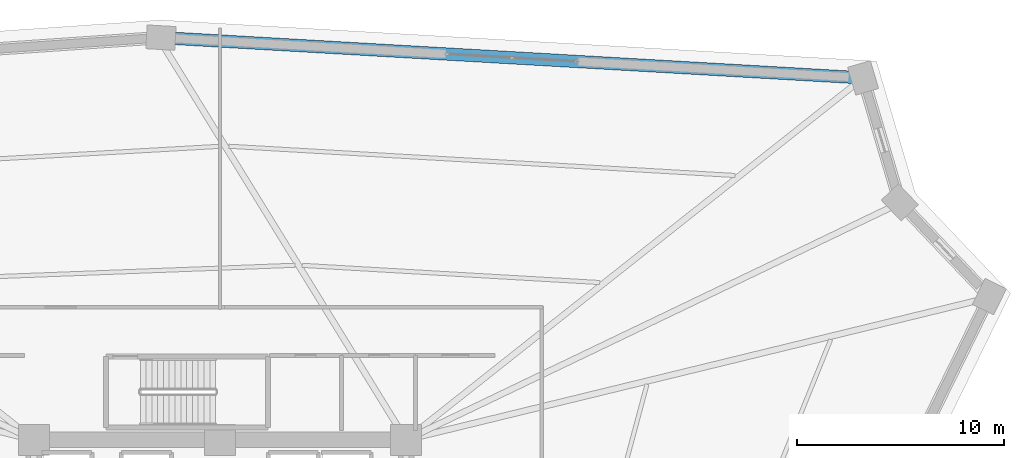
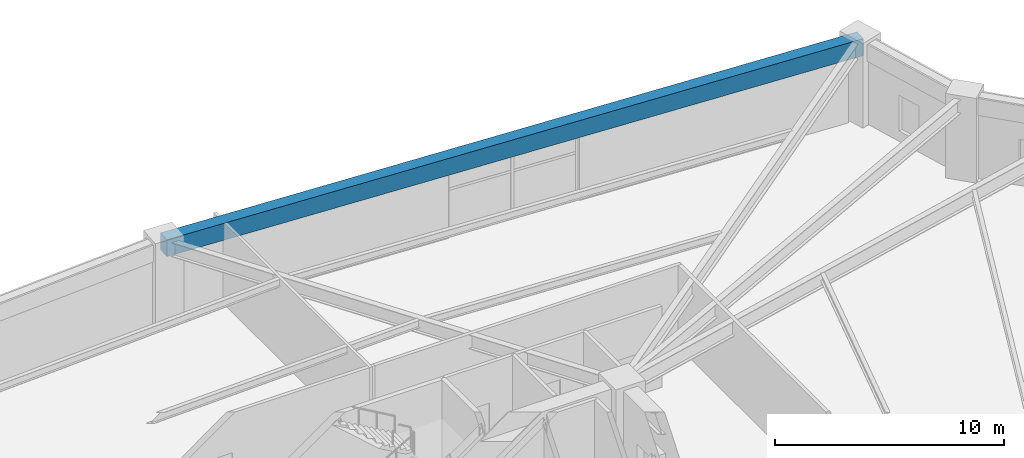
# One storey, part 22 of 30: 1 beam.
"""IFC4 building model written with IfcOpenShell, lengths in metres."""

import ifcopenshell
import ifcopenshell.guid

model = None  # the IFC model being written
_history = None  # IfcOwnerHistory: only IFC2X3 demands one
_inside = {}  # id of a spatial element -> (the spatial element, [elements in it])
_under = {}  # id of a project, library or spatial element -> (it, [spatial elements below it])
_declared = {}  # id of a project -> (the project, [libraries it declares])
_typed = {}  # id of a type object -> (the type object, [elements of that type])
_made_of = {}  # id of a material, layer set ... -> (it, [elements and type objects made of it])


def new_model(schema):
    """Start an empty IFC model of exactly this schema.

    Asked for "IFC4X3", IfcOpenShell would pick the latest addendum, in which some entities
    have other attributes; the version numbers below select the first issue.
    IFC2X3 requires an IfcOwnerHistory on every rooted entity: one is made here for all.
    """
    global model, _history
    if schema == "IFC4X3":
        model = ifcopenshell.file(schema_version=(4, 3, 0, 0))
    else:
        model = ifcopenshell.file(schema=schema)
    _inside.clear()
    _under.clear()
    _declared.clear()
    _typed.clear()
    _made_of.clear()
    _history = None
    if model.schema == "IFC2X3":
        org = make("IfcOrganization", Name="unknown")
        user = make(
            "IfcPersonAndOrganization",
            ThePerson=make("IfcPerson", FamilyName="unknown"),
            TheOrganization=org,
        )
        app = make(
            "IfcApplication",
            ApplicationDeveloper=org,
            Version="unknown",
            ApplicationFullName="unknown",
            ApplicationIdentifier="unknown",
        )
        _history = make(
            "IfcOwnerHistory",
            OwningUser=user,
            OwningApplication=app,
            ChangeAction="ADDED",
            CreationDate=0,
        )
    return model


def make(cls, **values):
    """One entity of the class cls with the attributes given. An attribute that is None is left unset."""
    return model.create_entity(
        cls, **{name: value for name, value in values.items() if value is not None}
    )


def rooted(cls, **values):
    """An entity with a GlobalId (a new one), such as an element, a storey or a relation."""
    return make(cls, GlobalId=ifcopenshell.guid.new(), OwnerHistory=_history, **values)


def si_unit(unit_type, name, prefix=None):
    """IfcSIUnit, for example si_unit("LENGTHUNIT", "METRE", prefix="MILLI")."""
    return make("IfcSIUnit", UnitType=unit_type, Prefix=prefix, Name=name)


def assignment(units):
    """IfcUnitAssignment: the units of a project."""
    return None if units is None else make("IfcUnitAssignment", Units=units)


def point(xyz):
    """IfcCartesianPoint."""
    return None if xyz is None else make("IfcCartesianPoint", Coordinates=xyz)


def direction(xyz):
    """IfcDirection."""
    return None if xyz is None else make("IfcDirection", DirectionRatios=xyz)


def frame(location, z_axis=None, x_axis=None):
    """IfcAxis2Placement3D, a coordinate frame: its origin and axes. An axis left out is left unset."""
    return make(
        "IfcAxis2Placement3D",
        Location=point(location),
        Axis=direction(z_axis),
        RefDirection=direction(x_axis),
    )


def frame_2d(location, x_axis=None):
    """IfcAxis2Placement2D, a coordinate frame in the plane: its origin and x axis."""
    return make(
        "IfcAxis2Placement2D", Location=point(location), RefDirection=direction(x_axis)
    )


def origin():
    """The frame at (0, 0, 0) with its axes left unset."""
    return frame((0.0, 0.0, 0.0))


def origin_2d():
    """The frame at (0, 0) in the plane with its x axis left unset."""
    return frame_2d((0.0, 0.0))


def place(relative_to, where):
    """IfcLocalPlacement: puts the frame where relative to a parent placement (None: the world)."""
    return make(
        "IfcLocalPlacement", PlacementRelTo=relative_to, RelativePlacement=where
    )


def context(
    kind, dimensions, precision=None, world=None, true_north=None, identifier=None
):
    """IfcGeometricRepresentationContext, for example the 3D "Model" context."""
    return make(
        "IfcGeometricRepresentationContext",
        ContextIdentifier=identifier,
        ContextType=kind,
        CoordinateSpaceDimension=dimensions,
        Precision=precision,
        WorldCoordinateSystem=world,
        TrueNorth=true_north,
    )


def subcontext(parent, identifier, kind, view, scale=None):
    """IfcGeometricRepresentationSubContext, for example "Body" below "Model"."""
    return make(
        "IfcGeometricRepresentationSubContext",
        ContextIdentifier=identifier,
        ContextType=kind,
        ParentContext=parent,
        TargetScale=scale,
        TargetView=view,
    )


def project(units=None, contexts=None):
    """IfcProject with its units and contexts."""
    return rooted(
        "IfcProject",
        Name="project",
        RepresentationContexts=contexts,
        UnitsInContext=assignment(units),
    )


def spatial(cls, under=None, at=None, **own):
    """A site, building, storey or space (cls), placed at a placement, below another one or the project."""
    s = rooted(cls, ObjectPlacement=at, **own)
    if under is not None:
        _under.setdefault(under.id(), (under, []))[1].append(s)
    return s


def profile(cls, at=None, kind="AREA", **sizes):
    """A parametric profile (cls). Its sizes go by their IFC names, for example OverallWidth=200.0."""
    return make(cls, ProfileType=kind, Position=at, **sizes)


def rectangle(**sizes):
    """IfcRectangleProfileDef."""
    return profile("IfcRectangleProfileDef", **sizes)


def extrude(swept, where, along, depth):
    """IfcExtrudedAreaSolid: the profile swept, set in the frame where, extruded along a direction by depth."""
    return make(
        "IfcExtrudedAreaSolid",
        SweptArea=swept,
        Position=where,
        ExtrudedDirection=direction(along),
        Depth=depth,
    )


def shape(context_of_items, identifier, shape_type, items):
    """IfcShapeRepresentation: the items that make up one representation, for example the "Body"."""
    return make(
        "IfcShapeRepresentation",
        ContextOfItems=context_of_items,
        RepresentationIdentifier=identifier,
        RepresentationType=shape_type,
        Items=items,
    )


def source(mapping_origin, context_of_items, identifier, shape_type, items):
    """IfcRepresentationMap: a shape defined once, which mapped items show again and again."""
    return make(
        "IfcRepresentationMap",
        MappingOrigin=mapping_origin,
        MappedRepresentation=shape(context_of_items, identifier, shape_type, items),
    )


def transform(
    local_origin,
    x_axis=None,
    y_axis=None,
    z_axis=None,
    scale=None,
    scale2=None,
    scale3=None,
    uniform=True,
):
    """IfcCartesianTransformationOperator3D, or its non-uniform kind. x_axis, y_axis, z_axis: its Axis1, 2, 3."""
    if uniform:
        return make(
            "IfcCartesianTransformationOperator3D",
            Axis1=direction(x_axis),
            Axis2=direction(y_axis),
            LocalOrigin=point(local_origin),
            Scale=scale,
            Axis3=direction(z_axis),
        )
    return make(
        "IfcCartesianTransformationOperator3DnonUniform",
        Axis1=direction(x_axis),
        Axis2=direction(y_axis),
        LocalOrigin=point(local_origin),
        Scale=scale,
        Axis3=direction(z_axis),
        Scale2=scale2,
        Scale3=scale3,
    )


def mapped(mapping_source, mapping_target):
    """IfcMappedItem: shows the shape of a source again, moved by a transform."""
    return make(
        "IfcMappedItem", MappingSource=mapping_source, MappingTarget=mapping_target
    )


def material(Name=None, Category=None):
    """IfcMaterial."""
    return make("IfcMaterial", Name=Name, Category=Category)


def material_profile(
    of_material, cross_section, Name=None, Category=None, Priority=None
):
    """IfcMaterialProfile: a cross section and its material."""
    return make(
        "IfcMaterialProfile",
        Name=Name,
        Material=of_material,
        Profile=cross_section,
        Priority=Priority,
        Category=Category,
    )


def profile_set(profiles, Name=None, composite=None):
    """IfcMaterialProfileSet."""
    return make(
        "IfcMaterialProfileSet",
        Name=Name,
        MaterialProfiles=profiles,
        CompositeProfile=composite,
    )


def made_of(thing, what):
    """Note that an element or type object is made of a material, layer set ...; save() writes the relation."""
    if what is not None:
        _made_of.setdefault(what.id(), (what, []))[1].append(thing)
    return thing


def type_object(cls, material=None, **own):
    """A type object (cls), such as IfcWallType, which elements share."""
    return made_of(rooted(cls, **own), material)


def element(
    cls,
    number,
    at=None,
    inside=None,
    cuts=None,
    type_object=None,
    material=None,
    context=None,
    identifier="Body",
    shape_type=None,
    held_by="IfcProductDefinitionShape",
    body=None,
    shapes=None,
    **own,
):
    """One element of the class cls, such as IfcWall. Its Tag is "e" and its number.

    at: its placement. inside: the storey or other place that contains it. cuts: it is an
    opening in that element (IfcRelVoidsElement). A single representation is given by context,
    identifier, shape_type and body (its items); several are given by shapes. held_by: the class
    of the entity that holds the representations. save() writes the other relations.
    """
    e = rooted(cls, Tag="e%d" % number, ObjectPlacement=at, **own)
    if body is not None:
        shapes = [shape(context, identifier, shape_type, body)]
    if shapes is not None:
        e.Representation = make(held_by, Representations=shapes)
    if inside is not None:
        _inside.setdefault(inside.id(), (inside, []))[1].append(e)
    if cuts is not None:
        rooted(
            "IfcRelVoidsElement", RelatingBuildingElement=cuts, RelatedOpeningElement=e
        )
    if type_object is not None:
        _typed.setdefault(type_object.id(), (type_object, []))[1].append(e)
    return made_of(e, material)


def aggregate(whole, parts):
    """IfcRelAggregates: a whole, such as a stair, and the parts it consists of."""
    return rooted("IfcRelAggregates", RelatingObject=whole, RelatedObjects=parts)


def save(model, path):
    """Write the relations noted so far, then the file.

    IfcRelAggregates (storeys below a building ...), IfcRelContainedInSpatialStructure (elements
    in a storey), IfcRelDefinesByType, IfcRelAssociatesMaterial and IfcRelDeclares: one each for
    every whole, place, type object, material and project.
    """
    for whole, parts in _under.values():
        aggregate(whole, parts)
    for where, things in _inside.values():
        rooted(
            "IfcRelContainedInSpatialStructure",
            RelatedElements=things,
            RelatingStructure=where,
        )
    for kind, things in _typed.values():
        rooted("IfcRelDefinesByType", RelatedObjects=things, RelatingType=kind)
    for what, things in _made_of.values():
        rooted("IfcRelAssociatesMaterial", RelatedObjects=things, RelatingMaterial=what)
    for by, libraries in _declared.values():
        rooted("IfcRelDeclares", RelatingContext=by, RelatedDefinitions=libraries)
    model.write(path)


model = new_model("IFC4")

# Units and contexts
model_context = context("Model", 3, precision=1e-05, world=origin(), true_north=direction((0.0, 1.0)))
body_context = subcontext(model_context, "Body", "Model", "MODEL_VIEW")
ifc_project = project(units=[si_unit("LENGTHUNIT", "METRE"), si_unit("AREAUNIT", "SQUARE_METRE"), si_unit("VOLUMEUNIT", "CUBIC_METRE"), si_unit("PLANEANGLEUNIT", "RADIAN"), si_unit("MASSUNIT", "GRAM", prefix="KILO")], contexts=[model_context])

# Site, building, storey
site_placement = place(None, origin())
site = spatial("IfcSite", under=ifc_project, at=site_placement, CompositionType="ELEMENT")
building_placement = place(site_placement, origin())
building = spatial("IfcBuilding", under=site, at=building_placement, Name="Liaohun Quay Tower", CompositionType="ELEMENT")
storey_placement = place(building_placement, frame((0.0, 0.0, 97.5)))
storey = spatial("IfcBuildingStorey", under=building, at=storey_placement, Name="L25", CompositionType="ELEMENT", Elevation=97.5)

# Beam
ifc_material = material(Name="Precast concrete C55", Category="concrete")
ifc_material_profile = material_profile(ifc_material, rectangle(XDim=0.60009765625, YDim=0.89990234375, at=origin_2d()), Name="RC600x900")
ifc_profile_set = profile_set([ifc_material_profile], Name="Precast concrete C55")
beam_type = type_object("IfcBeamType", Name="BM-SPD-Z2", PredefinedType="SPANDREL", material=ifc_profile_set)
shared_shape = source(origin(), body_context, "Body", "SweptSolid", [
    extrude(rectangle(XDim=0.60009765625, YDim=0.89990234375, at=origin_2d()), origin(), (0.0, 0.0, 1.0), 34.0048828125),
])
beam_placement = place(storey_placement, frame((57.14794921875, 80.947021484375, 3.8701171875), z_axis=(0.998357811903, -0.057285944275, 0.0), x_axis=(0.057285944275, 0.998357811903, 0.0)))
element("IfcBeam", 1, at=beam_placement, inside=storey, type_object=beam_type, Name="L25 Precast Spandrel Beam PC06-PC07", PredefinedType="SPANDREL", context=body_context, shape_type="MappedRepresentation", body=[
    mapped(shared_shape, transform((0.0, 0.0, 0.0), x_axis=(1.0, 0.0, 0.0), y_axis=(0.0, 1.0, 0.0), z_axis=(0.0, 0.0, 1.0), scale=1.0)),
])

save(model, "model.ifc")
